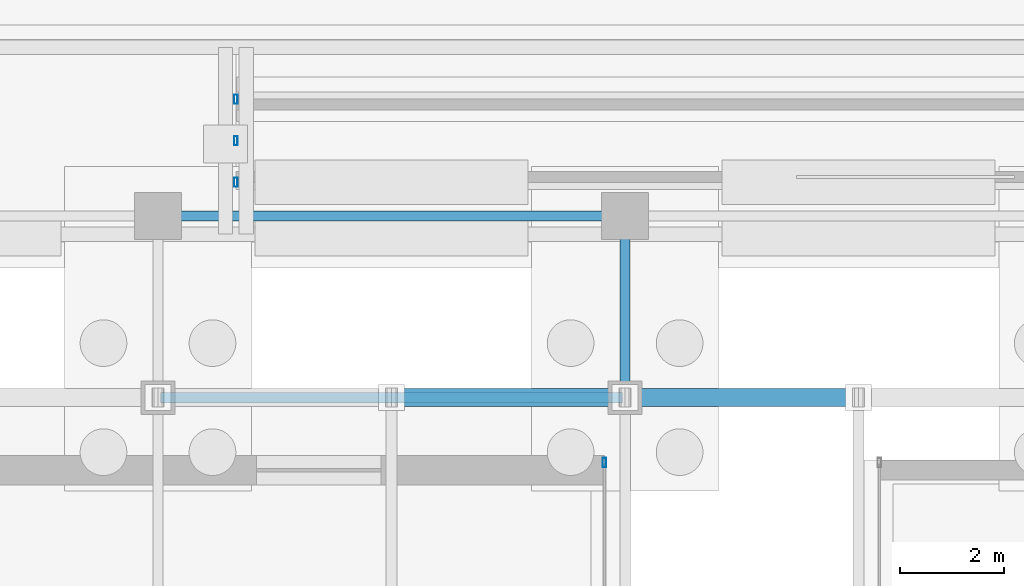
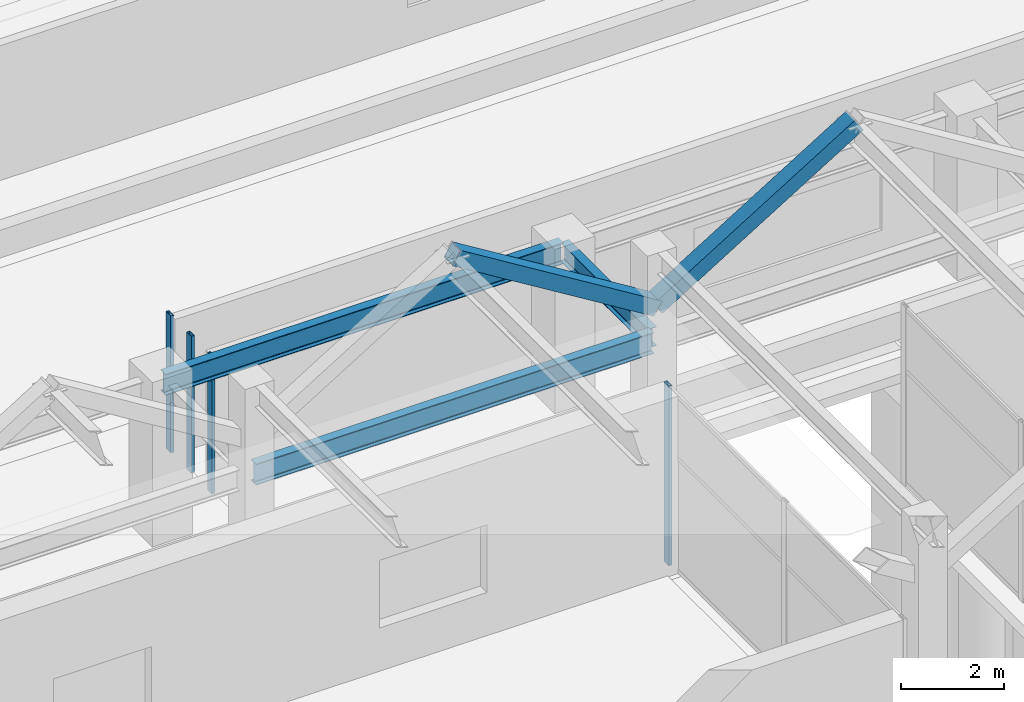
# One storey, part 56 of 160: 6 members, 3 beams, 2 elements without a shape of their own.
"""IFC4 building model written with IfcOpenShell, lengths in metres."""

import ifcopenshell
import ifcopenshell.guid

model = None  # the IFC model being written
_history = None  # IfcOwnerHistory: only IFC2X3 demands one
_inside = {}  # id of a spatial element -> (the spatial element, [elements in it])
_under = {}  # id of a project, library or spatial element -> (it, [spatial elements below it])
_declared = {}  # id of a project -> (the project, [libraries it declares])
_typed = {}  # id of a type object -> (the type object, [elements of that type])
_made_of = {}  # id of a material, layer set ... -> (it, [elements and type objects made of it])


def new_model(schema):
    """Start an empty IFC model of exactly this schema.

    Asked for "IFC4X3", IfcOpenShell would pick the latest addendum, in which some entities
    have other attributes; the version numbers below select the first issue.
    IFC2X3 requires an IfcOwnerHistory on every rooted entity: one is made here for all.
    """
    global model, _history
    if schema == "IFC4X3":
        model = ifcopenshell.file(schema_version=(4, 3, 0, 0))
    else:
        model = ifcopenshell.file(schema=schema)
    _inside.clear()
    _under.clear()
    _declared.clear()
    _typed.clear()
    _made_of.clear()
    _history = None
    if model.schema == "IFC2X3":
        org = make("IfcOrganization", Name="unknown")
        user = make(
            "IfcPersonAndOrganization",
            ThePerson=make("IfcPerson", FamilyName="unknown"),
            TheOrganization=org,
        )
        app = make(
            "IfcApplication",
            ApplicationDeveloper=org,
            Version="unknown",
            ApplicationFullName="unknown",
            ApplicationIdentifier="unknown",
        )
        _history = make(
            "IfcOwnerHistory",
            OwningUser=user,
            OwningApplication=app,
            ChangeAction="ADDED",
            CreationDate=0,
        )
    return model


def make(cls, **values):
    """One entity of the class cls with the attributes given. An attribute that is None is left unset."""
    return model.create_entity(
        cls, **{name: value for name, value in values.items() if value is not None}
    )


def rooted(cls, **values):
    """An entity with a GlobalId (a new one), such as an element, a storey or a relation."""
    return make(cls, GlobalId=ifcopenshell.guid.new(), OwnerHistory=_history, **values)


def si_unit(unit_type, name, prefix=None):
    """IfcSIUnit, for example si_unit("LENGTHUNIT", "METRE", prefix="MILLI")."""
    return make("IfcSIUnit", UnitType=unit_type, Prefix=prefix, Name=name)


def assignment(units):
    """IfcUnitAssignment: the units of a project."""
    return None if units is None else make("IfcUnitAssignment", Units=units)


def point(xyz):
    """IfcCartesianPoint."""
    return None if xyz is None else make("IfcCartesianPoint", Coordinates=xyz)


def direction(xyz):
    """IfcDirection."""
    return None if xyz is None else make("IfcDirection", DirectionRatios=xyz)


def frame(location, z_axis=None, x_axis=None):
    """IfcAxis2Placement3D, a coordinate frame: its origin and axes. An axis left out is left unset."""
    return make(
        "IfcAxis2Placement3D",
        Location=point(location),
        Axis=direction(z_axis),
        RefDirection=direction(x_axis),
    )


def frame_2d(location, x_axis=None):
    """IfcAxis2Placement2D, a coordinate frame in the plane: its origin and x axis."""
    return make(
        "IfcAxis2Placement2D", Location=point(location), RefDirection=direction(x_axis)
    )


def origin():
    """The frame at (0, 0, 0) with its axes left unset."""
    return frame((0.0, 0.0, 0.0))


def origin_2d():
    """The frame at (0, 0) in the plane with its x axis left unset."""
    return frame_2d((0.0, 0.0))


def place(relative_to, where):
    """IfcLocalPlacement: puts the frame where relative to a parent placement (None: the world)."""
    return make(
        "IfcLocalPlacement", PlacementRelTo=relative_to, RelativePlacement=where
    )


def context(
    kind, dimensions, precision=None, world=None, true_north=None, identifier=None
):
    """IfcGeometricRepresentationContext, for example the 3D "Model" context."""
    return make(
        "IfcGeometricRepresentationContext",
        ContextIdentifier=identifier,
        ContextType=kind,
        CoordinateSpaceDimension=dimensions,
        Precision=precision,
        WorldCoordinateSystem=world,
        TrueNorth=true_north,
    )


def subcontext(parent, identifier, kind, view, scale=None):
    """IfcGeometricRepresentationSubContext, for example "Body" below "Model"."""
    return make(
        "IfcGeometricRepresentationSubContext",
        ContextIdentifier=identifier,
        ContextType=kind,
        ParentContext=parent,
        TargetScale=scale,
        TargetView=view,
    )


def project(units=None, contexts=None):
    """IfcProject with its units and contexts."""
    return rooted(
        "IfcProject",
        Name="project",
        RepresentationContexts=contexts,
        UnitsInContext=assignment(units),
    )


def spatial(cls, under=None, at=None, **own):
    """A site, building, storey or space (cls), placed at a placement, below another one or the project."""
    s = rooted(cls, ObjectPlacement=at, **own)
    if under is not None:
        _under.setdefault(under.id(), (under, []))[1].append(s)
    return s


def profile(cls, at=None, kind="AREA", **sizes):
    """A parametric profile (cls). Its sizes go by their IFC names, for example OverallWidth=200.0."""
    return make(cls, ProfileType=kind, Position=at, **sizes)


def hollow_rectangle(**sizes):
    """IfcRectangleHollowProfileDef."""
    return profile("IfcRectangleHollowProfileDef", **sizes)


def i_section(**sizes):
    """IfcIShapeProfileDef."""
    return profile("IfcIShapeProfileDef", **sizes)


def extrude(swept, where, along, depth):
    """IfcExtrudedAreaSolid: the profile swept, set in the frame where, extruded along a direction by depth."""
    return make(
        "IfcExtrudedAreaSolid",
        SweptArea=swept,
        Position=where,
        ExtrudedDirection=direction(along),
        Depth=depth,
    )


def shape(context_of_items, identifier, shape_type, items):
    """IfcShapeRepresentation: the items that make up one representation, for example the "Body"."""
    return make(
        "IfcShapeRepresentation",
        ContextOfItems=context_of_items,
        RepresentationIdentifier=identifier,
        RepresentationType=shape_type,
        Items=items,
    )


def material(Name=None, Category=None):
    """IfcMaterial."""
    return make("IfcMaterial", Name=Name, Category=Category)


def layer(
    of_material, thickness, ventilated=None, Name=None, Category=None, Priority=None
):
    """IfcMaterialLayer: one layer of a wall or slab, of a material (None: an air gap)."""
    return make(
        "IfcMaterialLayer",
        Material=of_material,
        LayerThickness=thickness,
        IsVentilated=ventilated,
        Name=Name,
        Category=Category,
        Priority=Priority,
    )


def layer_set(layers, Name=None):
    """IfcMaterialLayerSet."""
    return make("IfcMaterialLayerSet", MaterialLayers=layers, LayerSetName=Name)


def material_profile(
    of_material, cross_section, Name=None, Category=None, Priority=None
):
    """IfcMaterialProfile: a cross section and its material."""
    return make(
        "IfcMaterialProfile",
        Name=Name,
        Material=of_material,
        Profile=cross_section,
        Priority=Priority,
        Category=Category,
    )


def profile_set(profiles, Name=None, composite=None):
    """IfcMaterialProfileSet."""
    return make(
        "IfcMaterialProfileSet",
        Name=Name,
        MaterialProfiles=profiles,
        CompositeProfile=composite,
    )


def made_of(thing, what):
    """Note that an element or type object is made of a material, layer set ...; save() writes the relation."""
    if what is not None:
        _made_of.setdefault(what.id(), (what, []))[1].append(thing)
    return thing


def type_object(cls, material=None, **own):
    """A type object (cls), such as IfcWallType, which elements share."""
    return made_of(rooted(cls, **own), material)


def element(
    cls,
    number,
    at=None,
    inside=None,
    cuts=None,
    type_object=None,
    material=None,
    context=None,
    identifier="Body",
    shape_type=None,
    held_by="IfcProductDefinitionShape",
    body=None,
    shapes=None,
    **own,
):
    """One element of the class cls, such as IfcWall. Its Tag is "e" and its number.

    at: its placement. inside: the storey or other place that contains it. cuts: it is an
    opening in that element (IfcRelVoidsElement). A single representation is given by context,
    identifier, shape_type and body (its items); several are given by shapes. held_by: the class
    of the entity that holds the representations. save() writes the other relations.
    """
    e = rooted(cls, Tag="e%d" % number, ObjectPlacement=at, **own)
    if body is not None:
        shapes = [shape(context, identifier, shape_type, body)]
    if shapes is not None:
        e.Representation = make(held_by, Representations=shapes)
    if inside is not None:
        _inside.setdefault(inside.id(), (inside, []))[1].append(e)
    if cuts is not None:
        rooted(
            "IfcRelVoidsElement", RelatingBuildingElement=cuts, RelatedOpeningElement=e
        )
    if type_object is not None:
        _typed.setdefault(type_object.id(), (type_object, []))[1].append(e)
    return made_of(e, material)


def aggregate(whole, parts):
    """IfcRelAggregates: a whole, such as a stair, and the parts it consists of."""
    return rooted("IfcRelAggregates", RelatingObject=whole, RelatedObjects=parts)


def save(model, path):
    """Write the relations noted so far, then the file.

    IfcRelAggregates (storeys below a building ...), IfcRelContainedInSpatialStructure (elements
    in a storey), IfcRelDefinesByType, IfcRelAssociatesMaterial and IfcRelDeclares: one each for
    every whole, place, type object, material and project.
    """
    for whole, parts in _under.values():
        aggregate(whole, parts)
    for where, things in _inside.values():
        rooted(
            "IfcRelContainedInSpatialStructure",
            RelatedElements=things,
            RelatingStructure=where,
        )
    for kind, things in _typed.values():
        rooted("IfcRelDefinesByType", RelatedObjects=things, RelatingType=kind)
    for what, things in _made_of.values():
        rooted("IfcRelAssociatesMaterial", RelatedObjects=things, RelatingMaterial=what)
    for by, libraries in _declared.values():
        rooted("IfcRelDeclares", RelatingContext=by, RelatedDefinitions=libraries)
    model.write(path)


model = new_model("IFC4")

# Units and contexts
model_context = context("Model", 3, precision=1e-05, world=origin(), true_north=direction((0.0, 1.0)))
body_context = subcontext(model_context, "Body", "Model", "MODEL_VIEW")
ifc_project = project(units=[si_unit("LENGTHUNIT", "METRE"), si_unit("AREAUNIT", "SQUARE_METRE"), si_unit("VOLUMEUNIT", "CUBIC_METRE"), si_unit("PLANEANGLEUNIT", "RADIAN"), si_unit("MASSUNIT", "GRAM", prefix="KILO")], contexts=[model_context])

# Site, building, storey
site_placement = place(None, origin())
site = spatial("IfcSite", under=ifc_project, at=site_placement, CompositionType="ELEMENT")
building_placement = place(site_placement, origin())
building = spatial("IfcBuilding", under=site, at=building_placement, Name="Marlcrest Central Station", CompositionType="ELEMENT")
storey_placement = place(building_placement, origin())
storey = spatial("IfcBuildingStorey", under=building, at=storey_placement, Name="L00", CompositionType="ELEMENT", Elevation=0.0)

# Beams
ifc_material_1 = material(Name="Steel S355", Category="steel")
ifc_material_profile_1 = material_profile(ifc_material_1, i_section(OverallWidth=0.18994140625, OverallDepth=0.449951171875, WebThickness=0.009521484375, FlangeThickness=0.0146484375, FilletRadius=0.02099609375, at=origin_2d()), Name="IPE 450")
ifc_profile_set_1 = profile_set([ifc_material_profile_1], Name="Steel S355")
beam_type_1 = type_object("IfcBeamType", Name="BM-04", PredefinedType="BEAM", material=ifc_profile_set_1)
beam_placement = place(storey_placement, frame((18.0, 33.050048828125, 4.385009765625), z_axis=(0.0, 1.0, 0.0), x_axis=(-1.0, 0.0, 0.0)))
element("IfcBeam", 1, at=beam_placement, inside=storey, type_object=beam_type_1, Name="bm-BM-04-L00-01063", PredefinedType="BEAM", context=body_context, shape_type="SweptSolid", body=[
    extrude(i_section(OverallWidth=0.18994140625, OverallDepth=0.449951171875, WebThickness=0.009521484375, FlangeThickness=0.0146484375, FilletRadius=0.02099609375, at=origin_2d()), origin(), (0.0, 0.0, 1.0), 3.39990234375),
])
ifc_material_profile_2 = material_profile(ifc_material_1, i_section(OverallWidth=0.199951171875, OverallDepth=0.5, WebThickness=0.01025390625, FlangeThickness=0.01611328125, FilletRadius=0.02099609375, at=origin_2d()), Name="IPE 500")
ifc_profile_set_2 = profile_set([ifc_material_profile_2], Name="Steel S355")
beam_type_2 = type_object("IfcBeamType", Name="BM-05", PredefinedType="BEAM", material=ifc_profile_set_2)
for number, where, z_axis, x_axis, name in (
    (2, (9.050048828125, 33.0, 4.360107421875), (1.0, 0.0, 0.0), (0.0, 1.0, 0.0), "bm-BM-05-L00-01060"),
    (3, (9.050048828125, 36.5, 4.360107421875), (1.0, 0.0, 0.0), (0.0, 1.0, 0.0), "bm-BM-05-L00-01061"),
):
    element("IfcBeam", number, at=place(storey_placement, frame(where, z_axis=z_axis, x_axis=x_axis)), inside=storey, type_object=beam_type_2, Name=name, PredefinedType="BEAM", context=body_context, shape_type="SweptSolid", body=[
        extrude(i_section(OverallWidth=0.199951171875, OverallDepth=0.5, WebThickness=0.01025390625, FlangeThickness=0.01611328125, FilletRadius=0.02099609375, at=origin_2d()), origin(), (0.0, 0.0, 1.0), 8.89990234375),
    ])

# Curtain wall, member
ifc_material_2 = material(Name="Anodised aluminium and hurricane laminated glass", Category="aluminium")
ifc_layer = layer(ifc_material_2, 0.179931640625, Name="CW-S1")
ifc_layer_set = layer_set([ifc_layer], Name="Anodised aluminium and hurricane laminated glass")
curtain_wall_type = type_object("IfcCurtainWallType", Name="CW-S1", PredefinedType="USERDEFINED", material=ifc_layer_set)
curtain_wall_1_placement = place(storey_placement, origin())
curtain_wall_1 = element("IfcCurtainWall", 4, at=curtain_wall_1_placement, inside=storey, type_object=curtain_wall_type, Name="cw-L00-0144", ObjectType="STICK_CURTAIN_WALL", PredefinedType="USERDEFINED")
ifc_material_3 = material(Name="Anodised aluminium 6063-T6", Category="aluminium")
ifc_material_profile_3 = material_profile(ifc_material_3, hollow_rectangle(XDim=0.070068359375, YDim=0.179931640625, WallThickness=0.0048828125, at=origin_2d()), Name="AA-RHS 180x70x5")
ifc_profile_set_3 = profile_set([ifc_material_profile_3], Name="Anodised aluminium 6063-T6")
member_type_1 = type_object("IfcMemberType", Name="ML-02", PredefinedType="MULLION", material=ifc_profile_set_3)
member_1_placement = place(storey_placement, frame((17.60009765625, 31.75, -0.030029296875), z_axis=(0.0, 0.0, 1.0), x_axis=(1.0, 0.0, 0.0)))
member_1 = element("IfcMember", 5, at=member_1_placement, type_object=member_type_1, Name="cw-L00-0144-ml-0", PredefinedType="MULLION", context=body_context, shape_type="SweptSolid", body=[
    extrude(hollow_rectangle(XDim=0.070068359375, YDim=0.179931640625, WallThickness=0.0048828125, at=origin_2d()), origin(), (0.0, 0.0, 1.0), 4.260009765625),
])
aggregate(curtain_wall_1, [member_1])

# Curtain wall, members
curtain_wall_2_placement = place(storey_placement, origin())
curtain_wall_2 = element("IfcCurtainWall", 6, at=curtain_wall_2_placement, inside=storey, type_object=curtain_wall_type, Name="cw-L00-0171", ObjectType="STICK_CURTAIN_WALL", PredefinedType="USERDEFINED")
member_2_placement = place(storey_placement, frame((10.5, 37.14990234375, 0.885009765625), z_axis=(0.0, 0.0, 1.0), x_axis=(1.0, 0.0, 0.0)))
member_2 = element("IfcMember", 7, at=member_2_placement, type_object=member_type_1, Name="cw-L00-0171-ml-0", PredefinedType="MULLION", context=body_context, shape_type="SweptSolid", body=[
    extrude(hollow_rectangle(XDim=0.070068359375, YDim=0.179931640625, WallThickness=0.0048828125, at=origin_2d()), origin(), (0.0, 0.0, 1.0), 3.244873046875),
])
member_3_placement = place(storey_placement, frame((10.5, 37.949951171875, 0.885009765625), z_axis=(0.0, 0.0, 1.0), x_axis=(1.0, 0.0, 0.0)))
member_3 = element("IfcMember", 8, at=member_3_placement, type_object=member_type_1, Name="cw-L00-0171-ml-1", PredefinedType="MULLION", context=body_context, shape_type="SweptSolid", body=[
    extrude(hollow_rectangle(XDim=0.070068359375, YDim=0.179931640625, WallThickness=0.0048828125, at=origin_2d()), origin(), (0.0, 0.0, 1.0), 3.244873046875),
])
member_4_placement = place(storey_placement, frame((10.5, 38.75, 0.885009765625), z_axis=(0.0, 0.0, 1.0), x_axis=(1.0, 0.0, 0.0)))
member_4 = element("IfcMember", 9, at=member_4_placement, type_object=member_type_1, Name="cw-L00-0171-ml-2", PredefinedType="MULLION", context=body_context, shape_type="SweptSolid", body=[
    extrude(hollow_rectangle(XDim=0.070068359375, YDim=0.179931640625, WallThickness=0.0048828125, at=origin_2d()), origin(), (0.0, 0.0, 1.0), 3.244873046875),
])
aggregate(curtain_wall_2, [member_2, member_3, member_4])

# Members
ifc_material_profile_4 = material_profile(ifc_material_1, hollow_rectangle(XDim=0.35009765625, YDim=0.35009765625, WallThickness=0.01611328125, at=origin_2d()), Name="SHS 350x350x16")
ifc_profile_set_4 = profile_set([ifc_material_profile_4], Name="Steel S355")
member_type_2 = type_object("IfcMemberType", Name="ST-02", PredefinedType="STRUT", material=ifc_profile_set_4)
for number, where, z_axis, x_axis, name in (
    (10, (18.0, 33.0, 5.199951171875), (-0.851591684043, 0.0, 0.524205688322), (0.0, -1.0, 0.0), "mem-ST-02-L00-00030"),
    (11, (18.0, 33.0, 5.199951171875), (0.851591684043, 0.0, 0.524205688322), (0.0, 1.0, 0.0), "mem-ST-02-L00-00035"),
):
    element("IfcMember", number, at=place(storey_placement, frame(where, z_axis=z_axis, x_axis=x_axis)), inside=storey, type_object=member_type_2, Name=name, PredefinedType="STRUT", context=body_context, shape_type="SweptSolid", body=[
        extrude(hollow_rectangle(XDim=0.35009765625, YDim=0.35009765625, WallThickness=0.01611328125, at=origin_2d()), origin(), (0.0, 0.0, 1.0), 5.2841796875),
    ])

save(model, "model.ifc")
